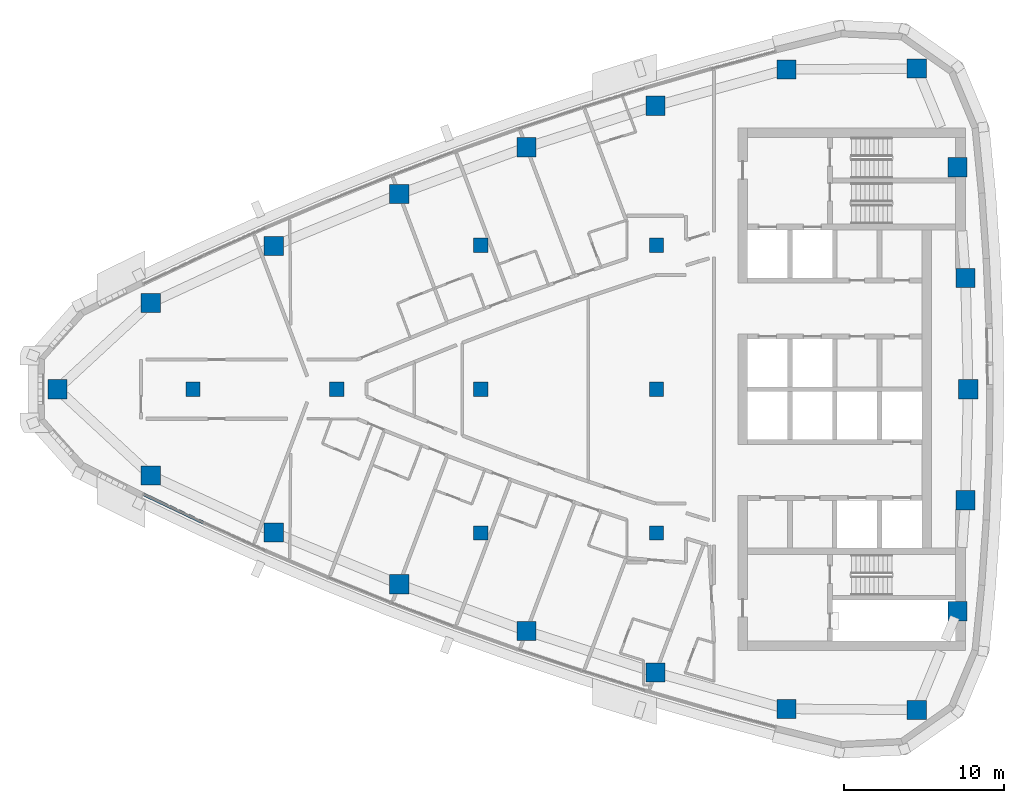
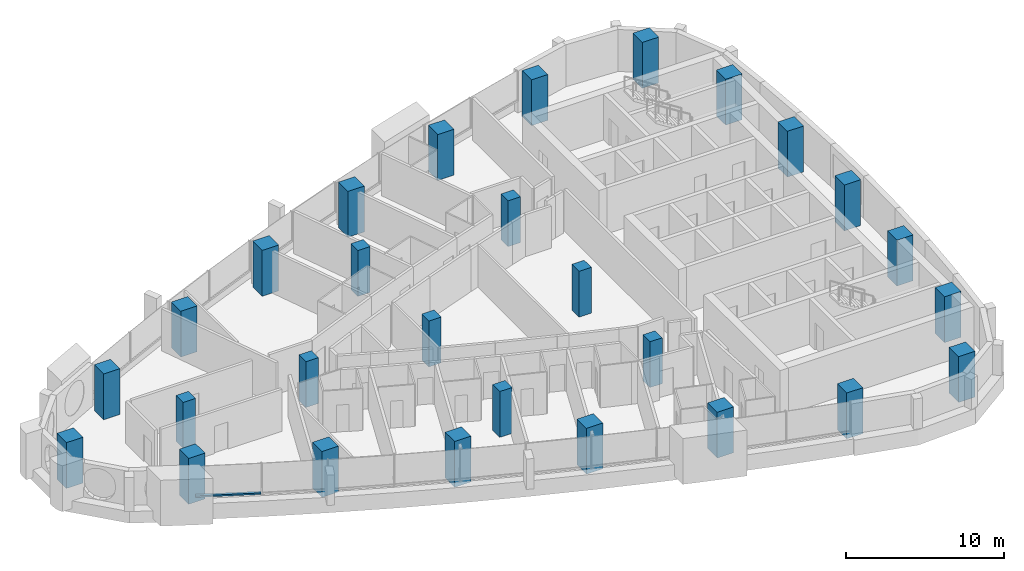
# One storey, part 1 of 16: 28 columns, 1 member, 1 element without a shape of its own.
"""IFC4 building model written with IfcOpenShell, lengths in metres."""

from ifc_helpers import new_model, si_unit, direction, frame, origin, origin_2d, place, context, subcontext, project, spatial, rectangle, extrude, material, layer, layer_set, material_profile, profile_set, type_object, element, aggregate, save


model = new_model("IFC4")

# Units and contexts
model_context = context("Model", 3, precision=1e-05, world=origin(), true_north=direction((0.0, 1.0)))
body_context = subcontext(model_context, "Body", "Model", "MODEL_VIEW")
ifc_project = project(units=[si_unit("LENGTHUNIT", "METRE"), si_unit("AREAUNIT", "SQUARE_METRE"), si_unit("VOLUMEUNIT", "CUBIC_METRE"), si_unit("PLANEANGLEUNIT", "RADIAN"), si_unit("MASSUNIT", "GRAM", prefix="KILO")], contexts=[model_context])

# Site, building, storey
site_placement = place(None, origin())
site = spatial("IfcSite", under=ifc_project, at=site_placement, CompositionType="ELEMENT")
building_placement = place(site_placement, origin())
building = spatial("IfcBuilding", under=site, at=building_placement, Name="Ostrand Prow Hotel Tower", CompositionType="ELEMENT")
storey_placement = place(building_placement, frame((0.0, 0.0, 249.199951171875)))
storey = spatial("IfcBuildingStorey", under=building, at=storey_placement, Name="L63", CompositionType="ELEMENT", Elevation=249.199951171875)

# Columns
ifc_material_1 = material(Name="Concrete C50/60", Category="concrete")
ifc_material_profile_1 = material_profile(ifc_material_1, rectangle(XDim=0.89990234375, YDim=0.89990234375, at=origin_2d()), Name="RC 900x900")
ifc_profile_set_1 = profile_set([ifc_material_profile_1], Name="Concrete C50/60")
column_type_1 = type_object("IfcColumnType", Name="Interior column 900x900 C50/60", PredefinedType="COLUMN", material=ifc_profile_set_1)
for number, where, z_axis, x_axis, name in (
    (1, (16.0, 0.0, 0.0), (0.0, 0.0, 1.0), (1.0, 0.0, 0.0), "Interior column 16C0"),
    (2, (25.0, 0.0, 0.0), (0.0, 0.0, 1.0), (1.0, 0.0, 0.0), "Interior column 25C0"),
    (3, (34.0, -9.0, 0.0), (0.0, 0.0, 1.0), (1.0, 0.0, 0.0), "Interior column 34S9"),
    (4, (34.0, 0.0, 0.0), (0.0, 0.0, 1.0), (1.0, 0.0, 0.0), "Interior column 34C0"),
    (5, (34.0, 9.0, 0.0), (0.0, 0.0, 1.0), (1.0, 0.0, 0.0), "Interior column 34N9"),
    (6, (45.0, -9.0, 0.0), (0.0, 0.0, 1.0), (1.0, 0.0, 0.0), "Interior column 45S9"),
    (7, (45.0, 0.0, 0.0), (0.0, 0.0, 1.0), (1.0, 0.0, 0.0), "Interior column 45C0"),
    (8, (45.0, 9.0, 0.0), (0.0, 0.0, 1.0), (1.0, 0.0, 0.0), "Interior column 45N9"),
):
    element("IfcColumn", number, at=place(storey_placement, frame(where, z_axis=z_axis, x_axis=x_axis)), inside=storey, type_object=column_type_1, Name=name, PredefinedType="COLUMN", context=body_context, shape_type="SweptSolid", body=[
        extrude(rectangle(XDim=0.89990234375, YDim=0.89990234375, at=origin_2d()), origin(), (0.0, 0.0, 1.0), 3.550048828125),
    ])
ifc_material_2 = material(Name="Concrete C50/60", Category="concrete")
ifc_material_profile_2 = material_profile(ifc_material_2, rectangle(XDim=1.199951171875, YDim=1.199951171875, at=origin_2d()), Name="RC 1200x1200")
ifc_profile_set_2 = profile_set([ifc_material_profile_2], Name="Concrete C50/60")
column_type_2 = type_object("IfcColumnType", Name="Stone-faced mega column 1200x1200 C50/60", PredefinedType="COLUMN", material=ifc_profile_set_2)
for number, where, z_axis, x_axis, name in (
    (9, (7.513916015625, 0.0, 0.0), (0.0, 0.0, 1.0), (1.0, 0.0, 0.0), "Mega column P"),
    (10, (13.356201171875, -5.392822265625, 0.0), (0.0, 0.0, 1.0), (1.0, 0.0, 0.0), "Mega column S1"),
    (11, (21.05859375, -8.95751953125, 0.0), (0.0, 0.0, 1.0), (1.0, 0.0, 0.0), "Mega column S2"),
    (12, (28.900146484375, -12.205322265625, 0.0), (0.0, 0.0, 1.0), (1.0, 0.0, 0.0), "Mega column S3"),
    (13, (36.8671875, -15.131591796875, 0.0), (0.0, 0.0, 1.0), (1.0, 0.0, 0.0), "Mega column S4"),
    (14, (44.94677734375, -17.731201171875, 0.0), (0.0, 0.0, 1.0), (1.0, 0.0, 0.0), "Mega column S5"),
    (15, (53.12548828125, -19.99951171875, 0.0), (0.0, 0.0, 1.0), (1.0, 0.0, 0.0), "Mega column S6"),
    (16, (61.283935546875, -20.06201171875, 0.0), (0.0, 0.0, 1.0), (1.0, 0.0, 0.0), "Mega column SE"),
    (17, (63.826416015625, -13.887939453125, 0.0), (0.0, 0.0, 1.0), (1.0, 0.0, 0.0), "Mega column B1"),
    (18, (64.33154296875, -6.9521484375, 0.0), (0.0, 0.0, 1.0), (1.0, 0.0, 0.0), "Mega column B2"),
    (19, (64.5, 0.0, 0.0), (0.0, 0.0, 1.0), (1.0, 0.0, 0.0), "Mega column B3"),
    (20, (64.33154296875, 6.9521484375, 0.0), (0.0, 0.0, 1.0), (1.0, 0.0, 0.0), "Mega column B4"),
    (21, (63.826416015625, 13.887939453125, 0.0), (0.0, 0.0, 1.0), (1.0, 0.0, 0.0), "Mega column B5"),
    (22, (61.283935546875, 20.06201171875, 0.0), (0.0, 0.0, 1.0), (1.0, 0.0, 0.0), "Mega column NE"),
    (23, (53.12548828125, 19.99951171875, 0.0), (0.0, 0.0, 1.0), (1.0, 0.0, 0.0), "Mega column N1"),
    (24, (44.94677734375, 17.731201171875, 0.0), (0.0, 0.0, 1.0), (1.0, 0.0, 0.0), "Mega column N2"),
    (25, (36.8671875, 15.131591796875, 0.0), (0.0, 0.0, 1.0), (1.0, 0.0, 0.0), "Mega column N3"),
    (26, (28.900146484375, 12.205322265625, 0.0), (0.0, 0.0, 1.0), (1.0, 0.0, 0.0), "Mega column N4"),
    (27, (21.05859375, 8.95751953125, 0.0), (0.0, 0.0, 1.0), (1.0, 0.0, 0.0), "Mega column N5"),
    (28, (13.356201171875, 5.392822265625, 0.0), (0.0, 0.0, 1.0), (1.0, 0.0, 0.0), "Mega column N6"),
):
    element("IfcColumn", number, at=place(storey_placement, frame(where, z_axis=z_axis, x_axis=x_axis)), inside=storey, type_object=column_type_2, Name=name, PredefinedType="COLUMN", context=body_context, shape_type="SweptSolid", body=[
        extrude(rectangle(XDim=1.199951171875, YDim=1.199951171875, at=origin_2d()), origin(), (0.0, 0.0, 1.0), 3.550048828125),
    ])

# Curtain wall, member
ifc_material_3 = material(Name="Insulated glass in bronze anodised frame", Category="glass")
ifc_layer = layer(ifc_material_3, 0.199951171875)
ifc_layer_set = layer_set([ifc_layer], Name="Insulated glass in bronze anodised frame")
curtain_wall_type = type_object("IfcCurtainWallType", Name="Strip curtain wall, fritted glass over bronze spandrel", PredefinedType="NOTDEFINED", material=ifc_layer_set)
curtain_wall_placement = place(storey_placement, origin())
curtain_wall = element("IfcCurtainWall", 29, at=curtain_wall_placement, inside=storey, type_object=curtain_wall_type, Name="CW1 run CWS1", PredefinedType="NOTDEFINED")
ifc_material_4 = material(Name="Bronze anodised aluminium", Category="aluminium")
ifc_material_profile_3 = material_profile(ifc_material_4, rectangle(XDim=0.199951171875, YDim=0.1201171875, at=origin_2d()), Name="Transom 120x200 bronze anodised aluminium")
ifc_profile_set_3 = profile_set([ifc_material_profile_3], Name="Bronze anodised aluminium")
member_type = type_object("IfcMemberType", Name="Transom 120x200 bronze anodised aluminium", PredefinedType="USERDEFINED", material=ifc_profile_set_3)
member_placement = place(storey_placement, frame((12.92041015625, -6.583740234375, 0.9599609375), z_axis=(0.903364977925, -0.428872611226, 0.0), x_axis=(0.428872611226, 0.903364977925, 0.0)))
member = element("IfcMember", 30, at=member_placement, type_object=member_type, Name="CW1 transom 1.1", ObjectType="TRANSOM", PredefinedType="USERDEFINED", context=body_context, shape_type="SweptSolid", body=[
    extrude(rectangle(XDim=0.199951171875, YDim=0.1201171875, at=origin_2d()), origin(), (0.0, 0.0, 1.0), 4.16357421875),
])
aggregate(curtain_wall, [member])

save(model, "model.ifc")
